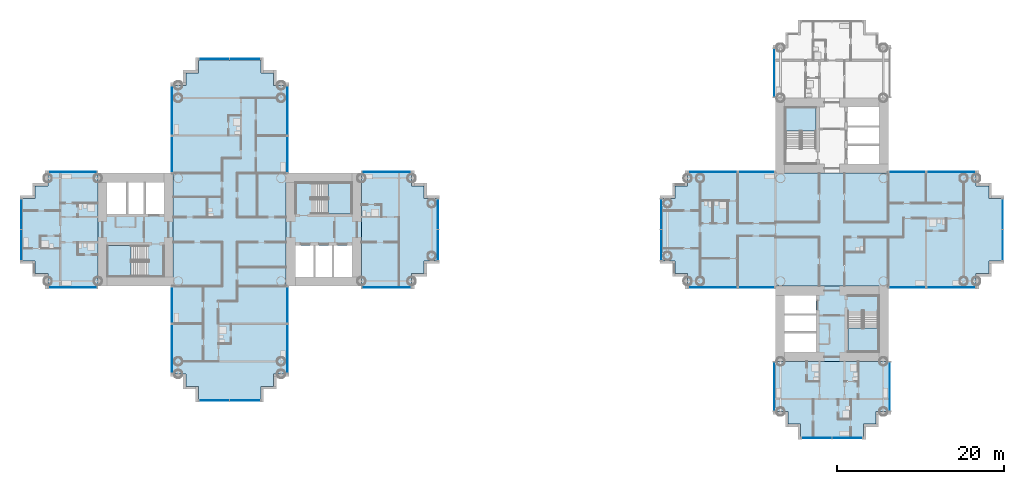
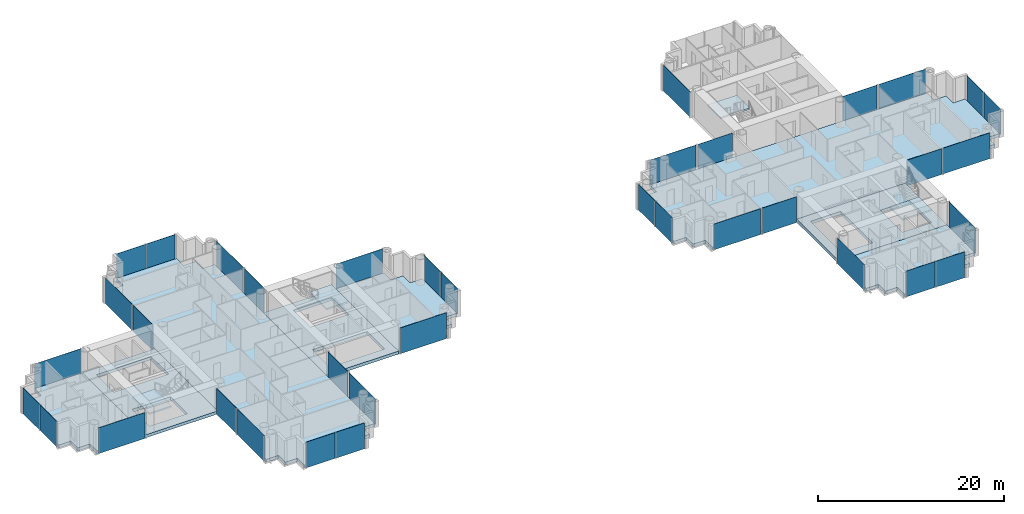
# One storey, part 7 of 22: 37 plates, 12 slabs, 34 elements without a shape of their own.
"""IFC4 building model written with IfcOpenShell, lengths in metres."""

from ifc_helpers import new_model, si_unit, direction, frame, origin, origin_2d, place, context, subcontext, project, spatial, polyline, rectangle, outline, extrude, material, layer, layer_set, type_object, element, aggregate, save


model = new_model("IFC4")

# Units and contexts
model_context = context("Model", 3, precision=1e-05, world=origin(), true_north=direction((0.0, 1.0)))
body_context = subcontext(model_context, "Body", "Model", "MODEL_VIEW")
ifc_project = project(units=[si_unit("LENGTHUNIT", "METRE"), si_unit("AREAUNIT", "SQUARE_METRE"), si_unit("VOLUMEUNIT", "CUBIC_METRE"), si_unit("PLANEANGLEUNIT", "RADIAN"), si_unit("MASSUNIT", "GRAM", prefix="KILO")], contexts=[model_context])

# Site, building, storey
site_placement = place(None, origin())
site = spatial("IfcSite", under=ifc_project, at=site_placement, CompositionType="ELEMENT")
building_placement = place(site_placement, origin())
building = spatial("IfcBuilding", under=site, at=building_placement, Name="Ipe Terrace Towers", CompositionType="ELEMENT")
storey_placement = place(building_placement, frame((0.0, 0.0, 61.89990234375)))
storey = spatial("IfcBuildingStorey", under=building, at=storey_placement, Name="L16", CompositionType="ELEMENT", Elevation=61.89990234375)

# Slabs
ifc_material_1 = material(Name="Concrete C30/37", Category="concrete")
ifc_layer_1 = layer(ifc_material_1, 0.39990234375)
ifc_layer_set_1 = layer_set([ifc_layer_1], Name="CORE FLOOR SLAB 400 C30-37")
slab_type_1 = type_object("IfcSlabType", Name="CORE FLOOR SLAB 400 C30-37", PredefinedType="FLOOR", material=ifc_layer_set_1)
slab_1_placement = place(storey_placement, frame((0.0, 0.0, -0.39990234375)))
element("IfcSlab", 1, at=slab_1_placement, inside=storey, type_object=slab_type_1, Name="Core floor T1-C1", PredefinedType="FLOOR", context=body_context, shape_type="SweptSolid", body=[
    extrude(outline(polyline([(-29.25, -6.75), (-29.25, 6.75), (-20.25, 6.75), (-20.25, -6.75), (-29.25, -6.75)]), holes=[polyline([(-28.14990234375, -5.64990234375), (-21.35009765625, -5.64990234375), (-21.35009765625, -1.89990234375), (-28.14990234375, -1.89990234375), (-28.14990234375, -5.64990234375)]), polyline([(-26.199951171875, 5.550048828125), (-26.199951171875, 1.89990234375), (-21.449951171875, 1.89990234375), (-21.449951171875, 5.550048828125), (-26.199951171875, 5.550048828125)])]), origin(), (0.0, 0.0, 1.0), 0.39990234375),
])
slab_2_placement = place(storey_placement, frame((0.0, 0.0, -0.39990234375)))
element("IfcSlab", 2, at=slab_2_placement, inside=storey, type_object=slab_type_1, Name="Core floor T1-C2", PredefinedType="FLOOR", context=body_context, shape_type="SweptSolid", body=[
    extrude(outline(polyline([(-51.75, -6.75), (-51.75, 6.75), (-42.75, 6.75), (-42.75, -6.75), (-51.75, -6.75)]), holes=[polyline([(-45.800048828125, -5.550048828125), (-45.800048828125, -1.89990234375), (-50.550048828125, -1.89990234375), (-50.550048828125, -5.550048828125), (-45.800048828125, -5.550048828125)]), polyline([(-50.64990234375, 1.89990234375), (-43.85009765625, 1.89990234375), (-43.85009765625, 5.64990234375), (-50.64990234375, 5.64990234375), (-50.64990234375, 1.89990234375)])]), origin(), (0.0, 0.0, 1.0), 0.39990234375),
])
slab_3_placement = place(storey_placement, frame((0.0, 0.0, -0.39990234375)))
element("IfcSlab", 3, at=slab_3_placement, inside=storey, type_object=slab_type_1, Name="Core floor T2-C2", PredefinedType="FLOOR", context=body_context, shape_type="SweptSolid", body=[
    extrude(outline(polyline([(29.25, -15.75), (29.25, -6.75), (42.75, -6.75), (42.75, -15.75), (29.25, -15.75)]), holes=[polyline([(34.10009765625, -14.64990234375), (34.10009765625, -7.85009765625), (30.35009765625, -7.85009765625), (30.35009765625, -14.64990234375), (34.10009765625, -14.64990234375)]), polyline([(41.550048828125, -9.800048828125), (37.89990234375, -9.800048828125), (37.89990234375, -14.550048828125), (41.550048828125, -14.550048828125), (41.550048828125, -9.800048828125)])]), origin(), (0.0, 0.0, 1.0), 0.39990234375),
])

# Stair, slab
ifc_material_2 = material(Name="Concrete C30/37", Category="concrete")
stair_type = type_object("IfcStairType", Name="Protected exit stair", PredefinedType="HALF_TURN_STAIR", material=ifc_material_2)
stair_1_placement = place(storey_placement, origin())
stair_1 = element("IfcStair", 4, at=stair_1_placement, inside=storey, type_object=stair_type, Name="L16 Exit stair T1-C1", PredefinedType="HALF_TURN_STAIR")
ifc_material_3 = material(Name="Concrete C30/37", Category="concrete")
ifc_layer_2 = layer(ifc_material_3, 0.199951171875)
ifc_layer_set_2 = layer_set([ifc_layer_2], Name="Exit stair landing 200")
slab_type_2 = type_object("IfcSlabType", Name="Exit stair landing 200", PredefinedType="LANDING", material=ifc_layer_set_2)
slab_4_placement = place(storey_placement, frame((0.0, 0.0, 1.5)))
slab_4 = element("IfcSlab", 5, at=slab_4_placement, type_object=slab_type_2, Name="T1-ST1 landing 1", PredefinedType="LANDING", context=body_context, shape_type="SweptSolid", body=[
    extrude(outline(polyline([(-24.219970703125, 1.89990234375), (-21.449951171875, 1.89990234375), (-21.449951171875, 5.550048828125), (-24.219970703125, 5.550048828125), (-24.219970703125, 1.89990234375)])), origin(), (0.0, 0.0, 1.0), 0.2001953125),
])
aggregate(stair_1, [slab_4])

stair_2_placement = place(storey_placement, origin())
stair_2 = element("IfcStair", 6, at=stair_2_placement, inside=storey, type_object=stair_type, Name="L16 Exit stair T1-C2", PredefinedType="HALF_TURN_STAIR")
slab_5_placement = place(storey_placement, frame((0.0, 0.0, 1.5)))
slab_5 = element("IfcSlab", 7, at=slab_5_placement, type_object=slab_type_2, Name="T1-ST2 landing 1", PredefinedType="LANDING", context=body_context, shape_type="SweptSolid", body=[
    extrude(outline(polyline([(-47.780029296875, -1.89990234375), (-50.550048828125, -1.89990234375), (-50.550048828125, -5.550048828125), (-47.780029296875, -5.550048828125), (-47.780029296875, -1.89990234375)])), origin(), (0.0, 0.0, 1.0), 0.2001953125),
])
aggregate(stair_2, [slab_5])

stair_3_placement = place(storey_placement, origin())
stair_3 = element("IfcStair", 8, at=stair_3_placement, inside=storey, type_object=stair_type, Name="L16 Exit stair T2-C1", PredefinedType="HALF_TURN_STAIR")
slab_6_placement = place(storey_placement, frame((0.0, 0.0, 1.5)))
slab_6 = element("IfcSlab", 9, at=slab_6_placement, type_object=slab_type_2, Name="T2-ST1 landing 1", PredefinedType="LANDING", context=body_context, shape_type="SweptSolid", body=[
    extrude(outline(polyline([(34.10009765625, 11.780029296875), (34.10009765625, 14.550048828125), (30.449951171875, 14.550048828125), (30.449951171875, 11.780029296875), (34.10009765625, 11.780029296875)])), origin(), (0.0, 0.0, 1.0), 0.2001953125),
])
aggregate(stair_3, [slab_6])

stair_4_placement = place(storey_placement, origin())
stair_4 = element("IfcStair", 10, at=stair_4_placement, inside=storey, type_object=stair_type, Name="L16 Exit stair T2-C2", PredefinedType="HALF_TURN_STAIR")
slab_7_placement = place(storey_placement, frame((0.0, 0.0, 1.5)))
slab_7 = element("IfcSlab", 11, at=slab_7_placement, type_object=slab_type_2, Name="T2-ST2 landing 1", PredefinedType="LANDING", context=body_context, shape_type="SweptSolid", body=[
    extrude(outline(polyline([(37.89990234375, -11.780029296875), (37.89990234375, -14.550048828125), (41.550048828125, -14.550048828125), (41.550048828125, -11.780029296875), (37.89990234375, -11.780029296875)])), origin(), (0.0, 0.0, 1.0), 0.2001953125),
])
aggregate(stair_4, [slab_7])

# Slabs
ifc_material_4 = material(Name="Concrete C40/50", Category="concrete")
ifc_layer_3 = layer(ifc_material_4, 0.39990234375)
ifc_layer_set_3 = layer_set([ifc_layer_3], Name="FLAT PLATE SLAB 400 C40-50")
slab_type_3 = type_object("IfcSlabType", Name="FLAT PLATE SLAB 400 C40-50", PredefinedType="FLOOR", material=ifc_layer_set_3)
slab_8_placement = place(storey_placement, frame((0.0, 0.0, -0.39990234375)))
element("IfcSlab", 12, at=slab_8_placement, inside=storey, type_object=slab_type_3, Name="Slab T1-FS-Z11", PredefinedType="FLOOR", context=body_context, shape_type="SweptSolid", body=[
    extrude(outline(polyline([(-30.75, -17.25), (-30.75, -18.75), (-32.25, -18.75), (-32.25, -20.25), (-39.75, -20.25), (-39.75, -18.75), (-41.25, -18.75), (-41.25, -17.25), (-42.75, -17.25), (-42.75, -6.75), (-42.75, 6.75), (-42.75, 17.25), (-41.25, 17.25), (-41.25, 18.75), (-39.75, 18.75), (-39.75, 20.25), (-32.25, 20.25), (-32.25, 18.75), (-30.75, 18.75), (-30.75, 17.25), (-29.25, 17.25), (-29.25, 6.75), (-29.25, -6.75), (-29.25, -17.25), (-30.75, -17.25)])), origin(), (0.0, 0.0, 1.0), 0.39990234375),
])
slab_9_placement = place(storey_placement, frame((0.0, 0.0, -0.39990234375)))
element("IfcSlab", 13, at=slab_9_placement, inside=storey, type_object=slab_type_3, Name="Slab T1-FS-Z12", PredefinedType="FLOOR", context=body_context, shape_type="SweptSolid", body=[
    extrude(outline(polyline([(-57.75, -6.75), (-57.75, -5.25), (-59.25, -5.25), (-59.25, -3.75), (-60.75, -3.75), (-60.75, 3.75), (-59.25, 3.75), (-59.25, 5.25), (-57.75, 5.25), (-57.75, 6.75), (-51.75, 6.75), (-51.75, -6.75), (-57.75, -6.75)])), origin(), (0.0, 0.0, 1.0), 0.39990234375),
])
slab_10_placement = place(storey_placement, frame((0.0, 0.0, -0.39990234375)))
element("IfcSlab", 14, at=slab_10_placement, inside=storey, type_object=slab_type_3, Name="Slab T1-FS-Z13", PredefinedType="FLOOR", context=body_context, shape_type="SweptSolid", body=[
    extrude(outline(polyline([(-14.25, 5.25), (-12.75, 5.25), (-12.75, 3.75), (-11.25, 3.75), (-11.25, -3.75), (-12.75, -3.75), (-12.75, -5.25), (-14.25, -5.25), (-14.25, -6.75), (-20.25, -6.75), (-20.25, 6.75), (-14.25, 6.75), (-14.25, 5.25)])), origin(), (0.0, 0.0, 1.0), 0.39990234375),
])
slab_11_placement = place(storey_placement, frame((0.0, 0.0, -0.39990234375)))
element("IfcSlab", 15, at=slab_11_placement, inside=storey, type_object=slab_type_3, Name="Slab T2-FS-Z11", PredefinedType="FLOOR", context=body_context, shape_type="SweptSolid", body=[
    extrude(outline(polyline([(53.25, 5.25), (54.75, 5.25), (54.75, 3.75), (56.25, 3.75), (56.25, -3.75), (54.75, -3.75), (54.75, -5.25), (53.25, -5.25), (53.25, -6.75), (42.75, -6.75), (29.25, -6.75), (18.75, -6.75), (18.75, -5.25), (17.25, -5.25), (17.25, -3.75), (15.75, -3.75), (15.75, 3.75), (17.25, 3.75), (17.25, 5.25), (18.75, 5.25), (18.75, 6.75), (29.25, 6.75), (42.75, 6.75), (53.25, 6.75), (53.25, 5.25)])), origin(), (0.0, 0.0, 1.0), 0.39990234375),
])
slab_12_placement = place(storey_placement, frame((0.0, 0.0, -0.39990234375)))
element("IfcSlab", 16, at=slab_12_placement, inside=storey, type_object=slab_type_3, Name="Slab T2-FS-Z12", PredefinedType="FLOOR", context=body_context, shape_type="SweptSolid", body=[
    extrude(outline(polyline([(42.75, -21.75), (41.25, -21.75), (41.25, -23.25), (39.75, -23.25), (39.75, -24.75), (32.25, -24.75), (32.25, -23.25), (30.75, -23.25), (30.75, -21.75), (29.25, -21.75), (29.25, -15.75), (42.75, -15.75), (42.75, -21.75)])), origin(), (0.0, 0.0, 1.0), 0.39990234375),
])

# Curtain wall, plate
ifc_material_5 = material(Name="Aluminium alloy 6063-T6", Category="aluminium")
ifc_layer_4 = layer(ifc_material_5, 0.320068359375)
ifc_layer_set_4 = layer_set([ifc_layer_4], Name="TOWER UNITISED CURTAIN WALL")
curtain_wall_type = type_object("IfcCurtainWallType", Name="TOWER UNITISED CURTAIN WALL", PredefinedType="NOTDEFINED", material=ifc_layer_set_4)
curtain_wall_1_placement = place(storey_placement, origin())
curtain_wall_1 = element("IfcCurtainWall", 17, at=curtain_wall_1_placement, inside=storey, type_object=curtain_wall_type, Name="T1-CW-L16-04a curtain wall", PredefinedType="NOTDEFINED")
ifc_material_6 = material(Name="Glass, clear laminated", Category="glass")
ifc_layer_5 = layer(ifc_material_6, 0.031982421875)
ifc_layer_set_5 = layer_set([ifc_layer_5], Name="TOWER UNITISED GLASS PANEL 32")
plate_type = type_object("IfcPlateType", Name="TOWER UNITISED GLASS PANEL 32", PredefinedType="CURTAIN_PANEL", material=ifc_layer_set_5)
plate_1_placement = place(storey_placement, frame((-54.75048828125, -6.909912109375, -0.2998046875), z_axis=(0.0, 0.0, 1.0), x_axis=(1.0, 0.0, 0.0)))
plate_1 = element("IfcPlate", 18, at=plate_1_placement, type_object=plate_type, Name="T1-CW-L16-04a panel 1", PredefinedType="CURTAIN_PANEL", context=body_context, shape_type="SweptSolid", body=[
    extrude(rectangle(XDim=5.759033203125, YDim=0.031982421875, at=origin_2d()), origin(), (0.0, 0.0, 1.0), 3.39990234375),
])
aggregate(curtain_wall_1, [plate_1])

curtain_wall_2_placement = place(storey_placement, origin())
curtain_wall_2 = element("IfcCurtainWall", 19, at=curtain_wall_2_placement, inside=storey, type_object=curtain_wall_type, Name="T1-CW-L16-06a curtain wall", PredefinedType="NOTDEFINED")
plate_2_placement = place(storey_placement, frame((-42.909912109375, -9.0, -0.2998046875), z_axis=(0.0, 0.0, 1.0), x_axis=(0.0, -1.0, 0.0)))
plate_2 = element("IfcPlate", 20, at=plate_2_placement, type_object=plate_type, Name="T1-CW-L16-06a panel 1", PredefinedType="CURTAIN_PANEL", context=body_context, shape_type="SweptSolid", body=[
    extrude(rectangle(XDim=4.260009765625, YDim=0.031982421875, at=origin_2d()), origin(), (0.0, 0.0, 1.0), 3.39990234375),
])
aggregate(curtain_wall_2, [plate_2])

curtain_wall_3_placement = place(storey_placement, origin())
curtain_wall_3 = element("IfcCurtainWall", 21, at=curtain_wall_3_placement, inside=storey, type_object=curtain_wall_type, Name="T1-CW-L16-07a curtain wall", PredefinedType="NOTDEFINED")
plate_3_placement = place(storey_placement, frame((-42.909912109375, -14.25, -0.2998046875), z_axis=(0.0, 0.0, 1.0), x_axis=(0.0, -1.0, 0.0)))
plate_3 = element("IfcPlate", 22, at=plate_3_placement, type_object=plate_type, Name="T1-CW-L16-07a panel 1", PredefinedType="CURTAIN_PANEL", context=body_context, shape_type="SweptSolid", body=[
    extrude(rectangle(XDim=5.760009765625, YDim=0.031982421875, at=origin_2d()), origin(), (0.0, 0.0, 1.0), 3.39990234375),
])
aggregate(curtain_wall_3, [plate_3])

# Curtain wall, plates
curtain_wall_4_placement = place(storey_placement, origin())
curtain_wall_4 = element("IfcCurtainWall", 23, at=curtain_wall_4_placement, inside=storey, type_object=curtain_wall_type, Name="T1-CW-L16-12a curtain wall", PredefinedType="NOTDEFINED")
plate_4_placement = place(storey_placement, frame((-37.831298828125, -20.409912109375, -0.2998046875), z_axis=(0.0, 0.0, 1.0), x_axis=(1.0, 0.0, 0.0)))
plate_4 = element("IfcPlate", 24, at=plate_4_placement, type_object=plate_type, Name="T1-CW-L16-12a panel 1", PredefinedType="CURTAIN_PANEL", context=body_context, shape_type="SweptSolid", body=[
    extrude(rectangle(XDim=3.597412109375, YDim=0.031982421875, at=origin_2d()), origin(), (0.0, 0.0, 1.0), 3.39990234375),
])
plate_5_placement = place(storey_placement, frame((-34.168701171875, -20.409912109375, -0.2998046875), z_axis=(0.0, 0.0, 1.0), x_axis=(1.0, 0.0, 0.0)))
plate_5 = element("IfcPlate", 25, at=plate_5_placement, type_object=plate_type, Name="T1-CW-L16-12a panel 2", PredefinedType="CURTAIN_PANEL", context=body_context, shape_type="SweptSolid", body=[
    extrude(rectangle(XDim=3.597412109375, YDim=0.031982421875, at=origin_2d()), origin(), (0.0, 0.0, 1.0), 3.39990234375),
])
aggregate(curtain_wall_4, [plate_4, plate_5])

# Curtain wall, plate
curtain_wall_5_placement = place(storey_placement, origin())
curtain_wall_5 = element("IfcCurtainWall", 26, at=curtain_wall_5_placement, inside=storey, type_object=curtain_wall_type, Name="T1-CW-L16-17a curtain wall", PredefinedType="NOTDEFINED")
plate_6_placement = place(storey_placement, frame((-29.090087890625, -14.25, -0.2998046875), z_axis=(0.0, 0.0, 1.0), x_axis=(0.0, 1.0, 0.0)))
plate_6 = element("IfcPlate", 27, at=plate_6_placement, type_object=plate_type, Name="T1-CW-L16-17a panel 1", PredefinedType="CURTAIN_PANEL", context=body_context, shape_type="SweptSolid", body=[
    extrude(rectangle(XDim=5.760009765625, YDim=0.031982421875, at=origin_2d()), origin(), (0.0, 0.0, 1.0), 3.39990234375),
])
aggregate(curtain_wall_5, [plate_6])

curtain_wall_6_placement = place(storey_placement, origin())
curtain_wall_6 = element("IfcCurtainWall", 28, at=curtain_wall_6_placement, inside=storey, type_object=curtain_wall_type, Name="T1-CW-L16-18a curtain wall", PredefinedType="NOTDEFINED")
plate_7_placement = place(storey_placement, frame((-29.090087890625, -9.0, -0.2998046875), z_axis=(0.0, 0.0, 1.0), x_axis=(0.0, 1.0, 0.0)))
plate_7 = element("IfcPlate", 29, at=plate_7_placement, type_object=plate_type, Name="T1-CW-L16-18a panel 1", PredefinedType="CURTAIN_PANEL", context=body_context, shape_type="SweptSolid", body=[
    extrude(rectangle(XDim=4.260009765625, YDim=0.031982421875, at=origin_2d()), origin(), (0.0, 0.0, 1.0), 3.39990234375),
])
aggregate(curtain_wall_6, [plate_7])

curtain_wall_7_placement = place(storey_placement, origin())
curtain_wall_7 = element("IfcCurtainWall", 30, at=curtain_wall_7_placement, inside=storey, type_object=curtain_wall_type, Name="T1-CW-L16-20b curtain wall", PredefinedType="NOTDEFINED")
plate_8_placement = place(storey_placement, frame((-17.24951171875, -6.909912109375, -0.2998046875), z_axis=(0.0, 0.0, 1.0), x_axis=(1.0, 0.0, 0.0)))
plate_8 = element("IfcPlate", 31, at=plate_8_placement, type_object=plate_type, Name="T1-CW-L16-20b panel 1", PredefinedType="CURTAIN_PANEL", context=body_context, shape_type="SweptSolid", body=[
    extrude(rectangle(XDim=5.759033203125, YDim=0.031982421875, at=origin_2d()), origin(), (0.0, 0.0, 1.0), 3.39990234375),
])
aggregate(curtain_wall_7, [plate_8])

# Curtain wall, plates
curtain_wall_8_placement = place(storey_placement, origin())
curtain_wall_8 = element("IfcCurtainWall", 32, at=curtain_wall_8_placement, inside=storey, type_object=curtain_wall_type, Name="T1-CW-L16-25a curtain wall", PredefinedType="NOTDEFINED")
plate_9_placement = place(storey_placement, frame((-11.090087890625, -1.831298828125, -0.2998046875), z_axis=(0.0, 0.0, 1.0), x_axis=(0.0, 1.0, 0.0)))
plate_9 = element("IfcPlate", 33, at=plate_9_placement, type_object=plate_type, Name="T1-CW-L16-25a panel 1", PredefinedType="CURTAIN_PANEL", context=body_context, shape_type="SweptSolid", body=[
    extrude(rectangle(XDim=3.597412109375, YDim=0.031982421875, at=origin_2d()), origin(), (0.0, 0.0, 1.0), 3.39990234375),
])
plate_10_placement = place(storey_placement, frame((-11.090087890625, 1.831298828125, -0.2998046875), z_axis=(0.0, 0.0, 1.0), x_axis=(0.0, 1.0, 0.0)))
plate_10 = element("IfcPlate", 34, at=plate_10_placement, type_object=plate_type, Name="T1-CW-L16-25a panel 2", PredefinedType="CURTAIN_PANEL", context=body_context, shape_type="SweptSolid", body=[
    extrude(rectangle(XDim=3.597412109375, YDim=0.031982421875, at=origin_2d()), origin(), (0.0, 0.0, 1.0), 3.39990234375),
])
aggregate(curtain_wall_8, [plate_9, plate_10])

# Curtain wall, plate
curtain_wall_9_placement = place(storey_placement, origin())
curtain_wall_9 = element("IfcCurtainWall", 35, at=curtain_wall_9_placement, inside=storey, type_object=curtain_wall_type, Name="T1-CW-L16-30a curtain wall", PredefinedType="NOTDEFINED")
plate_11_placement = place(storey_placement, frame((-17.24951171875, 6.909912109375, -0.2998046875), z_axis=(0.0, 0.0, 1.0), x_axis=(-1.0, 0.0, 0.0)))
plate_11 = element("IfcPlate", 36, at=plate_11_placement, type_object=plate_type, Name="T1-CW-L16-30a panel 1", PredefinedType="CURTAIN_PANEL", context=body_context, shape_type="SweptSolid", body=[
    extrude(rectangle(XDim=5.759033203125, YDim=0.031982421875, at=origin_2d()), origin(), (0.0, 0.0, 1.0), 3.39990234375),
])
aggregate(curtain_wall_9, [plate_11])

curtain_wall_10_placement = place(storey_placement, origin())
curtain_wall_10 = element("IfcCurtainWall", 37, at=curtain_wall_10_placement, inside=storey, type_object=curtain_wall_type, Name="T1-CW-L16-32a curtain wall", PredefinedType="NOTDEFINED")
plate_12_placement = place(storey_placement, frame((-29.090087890625, 9.0, -0.2998046875), z_axis=(0.0, 0.0, 1.0), x_axis=(0.0, 1.0, 0.0)))
plate_12 = element("IfcPlate", 38, at=plate_12_placement, type_object=plate_type, Name="T1-CW-L16-32a panel 1", PredefinedType="CURTAIN_PANEL", context=body_context, shape_type="SweptSolid", body=[
    extrude(rectangle(XDim=4.260009765625, YDim=0.031982421875, at=origin_2d()), origin(), (0.0, 0.0, 1.0), 3.39990234375),
])
aggregate(curtain_wall_10, [plate_12])

curtain_wall_11_placement = place(storey_placement, origin())
curtain_wall_11 = element("IfcCurtainWall", 39, at=curtain_wall_11_placement, inside=storey, type_object=curtain_wall_type, Name="T1-CW-L16-33a curtain wall", PredefinedType="NOTDEFINED")
plate_13_placement = place(storey_placement, frame((-29.090087890625, 14.25, -0.2998046875), z_axis=(0.0, 0.0, 1.0), x_axis=(0.0, 1.0, 0.0)))
plate_13 = element("IfcPlate", 40, at=plate_13_placement, type_object=plate_type, Name="T1-CW-L16-33a panel 1", PredefinedType="CURTAIN_PANEL", context=body_context, shape_type="SweptSolid", body=[
    extrude(rectangle(XDim=5.760009765625, YDim=0.031982421875, at=origin_2d()), origin(), (0.0, 0.0, 1.0), 3.39990234375),
])
aggregate(curtain_wall_11, [plate_13])

# Curtain wall, plates
curtain_wall_12_placement = place(storey_placement, origin())
curtain_wall_12 = element("IfcCurtainWall", 41, at=curtain_wall_12_placement, inside=storey, type_object=curtain_wall_type, Name="T1-CW-L16-38a curtain wall", PredefinedType="NOTDEFINED")
plate_14_placement = place(storey_placement, frame((-34.168701171875, 20.409912109375, -0.2998046875), z_axis=(0.0, 0.0, 1.0), x_axis=(-1.0, 0.0, 0.0)))
plate_14 = element("IfcPlate", 42, at=plate_14_placement, type_object=plate_type, Name="T1-CW-L16-38a panel 1", PredefinedType="CURTAIN_PANEL", context=body_context, shape_type="SweptSolid", body=[
    extrude(rectangle(XDim=3.597412109375, YDim=0.031982421875, at=origin_2d()), origin(), (0.0, 0.0, 1.0), 3.39990234375),
])
plate_15_placement = place(storey_placement, frame((-37.831298828125, 20.409912109375, -0.2998046875), z_axis=(0.0, 0.0, 1.0), x_axis=(-1.0, 0.0, 0.0)))
plate_15 = element("IfcPlate", 43, at=plate_15_placement, type_object=plate_type, Name="T1-CW-L16-38a panel 2", PredefinedType="CURTAIN_PANEL", context=body_context, shape_type="SweptSolid", body=[
    extrude(rectangle(XDim=3.597412109375, YDim=0.031982421875, at=origin_2d()), origin(), (0.0, 0.0, 1.0), 3.39990234375),
])
aggregate(curtain_wall_12, [plate_14, plate_15])

# Curtain wall, plate
curtain_wall_13_placement = place(storey_placement, origin())
curtain_wall_13 = element("IfcCurtainWall", 44, at=curtain_wall_13_placement, inside=storey, type_object=curtain_wall_type, Name="T1-CW-L16-43a curtain wall", PredefinedType="NOTDEFINED")
plate_16_placement = place(storey_placement, frame((-42.909912109375, 14.25, -0.2998046875), z_axis=(0.0, 0.0, 1.0), x_axis=(0.0, -1.0, 0.0)))
plate_16 = element("IfcPlate", 45, at=plate_16_placement, type_object=plate_type, Name="T1-CW-L16-43a panel 1", PredefinedType="CURTAIN_PANEL", context=body_context, shape_type="SweptSolid", body=[
    extrude(rectangle(XDim=5.760009765625, YDim=0.031982421875, at=origin_2d()), origin(), (0.0, 0.0, 1.0), 3.39990234375),
])
aggregate(curtain_wall_13, [plate_16])

curtain_wall_14_placement = place(storey_placement, origin())
curtain_wall_14 = element("IfcCurtainWall", 46, at=curtain_wall_14_placement, inside=storey, type_object=curtain_wall_type, Name="T1-CW-L16-44a curtain wall", PredefinedType="NOTDEFINED")
plate_17_placement = place(storey_placement, frame((-42.909912109375, 9.0, -0.2998046875), z_axis=(0.0, 0.0, 1.0), x_axis=(0.0, -1.0, 0.0)))
plate_17 = element("IfcPlate", 47, at=plate_17_placement, type_object=plate_type, Name="T1-CW-L16-44a panel 1", PredefinedType="CURTAIN_PANEL", context=body_context, shape_type="SweptSolid", body=[
    extrude(rectangle(XDim=4.260009765625, YDim=0.031982421875, at=origin_2d()), origin(), (0.0, 0.0, 1.0), 3.39990234375),
])
aggregate(curtain_wall_14, [plate_17])

curtain_wall_15_placement = place(storey_placement, origin())
curtain_wall_15 = element("IfcCurtainWall", 48, at=curtain_wall_15_placement, inside=storey, type_object=curtain_wall_type, Name="T1-CW-L16-46b curtain wall", PredefinedType="NOTDEFINED")
plate_18_placement = place(storey_placement, frame((-54.75048828125, 6.909912109375, -0.2998046875), z_axis=(0.0, 0.0, 1.0), x_axis=(-1.0, 0.0, 0.0)))
plate_18 = element("IfcPlate", 49, at=plate_18_placement, type_object=plate_type, Name="T1-CW-L16-46b panel 1", PredefinedType="CURTAIN_PANEL", context=body_context, shape_type="SweptSolid", body=[
    extrude(rectangle(XDim=5.759033203125, YDim=0.031982421875, at=origin_2d()), origin(), (0.0, 0.0, 1.0), 3.39990234375),
])
aggregate(curtain_wall_15, [plate_18])

# Curtain wall, plates
curtain_wall_16_placement = place(storey_placement, origin())
curtain_wall_16 = element("IfcCurtainWall", 50, at=curtain_wall_16_placement, inside=storey, type_object=curtain_wall_type, Name="T1-CW-L16-51a curtain wall", PredefinedType="NOTDEFINED")
plate_19_placement = place(storey_placement, frame((-60.909912109375, 1.831298828125, -0.2998046875), z_axis=(0.0, 0.0, 1.0), x_axis=(0.0, -1.0, 0.0)))
plate_19 = element("IfcPlate", 51, at=plate_19_placement, type_object=plate_type, Name="T1-CW-L16-51a panel 1", PredefinedType="CURTAIN_PANEL", context=body_context, shape_type="SweptSolid", body=[
    extrude(rectangle(XDim=3.597412109375, YDim=0.031982421875, at=origin_2d()), origin(), (0.0, 0.0, 1.0), 3.39990234375),
])
plate_20_placement = place(storey_placement, frame((-60.909912109375, -1.831298828125, -0.2998046875), z_axis=(0.0, 0.0, 1.0), x_axis=(0.0, -1.0, 0.0)))
plate_20 = element("IfcPlate", 52, at=plate_20_placement, type_object=plate_type, Name="T1-CW-L16-51a panel 2", PredefinedType="CURTAIN_PANEL", context=body_context, shape_type="SweptSolid", body=[
    extrude(rectangle(XDim=3.597412109375, YDim=0.031982421875, at=origin_2d()), origin(), (0.0, 0.0, 1.0), 3.39990234375),
])
aggregate(curtain_wall_16, [plate_19, plate_20])

# Curtain wall, plate
curtain_wall_17_placement = place(storey_placement, origin())
curtain_wall_17 = element("IfcCurtainWall", 53, at=curtain_wall_17_placement, inside=storey, type_object=curtain_wall_type, Name="T2-CW-L16-04a curtain wall", PredefinedType="NOTDEFINED")
plate_21_placement = place(storey_placement, frame((42.909912109375, -18.75048828125, -0.2998046875), z_axis=(0.0, 0.0, 1.0), x_axis=(0.0, 1.0, 0.0)))
plate_21 = element("IfcPlate", 54, at=plate_21_placement, type_object=plate_type, Name="T2-CW-L16-04a panel 1", PredefinedType="CURTAIN_PANEL", context=body_context, shape_type="SweptSolid", body=[
    extrude(rectangle(XDim=5.759033203125, YDim=0.031982421875, at=origin_2d()), origin(), (0.0, 0.0, 1.0), 3.39990234375),
])
aggregate(curtain_wall_17, [plate_21])

curtain_wall_18_placement = place(storey_placement, origin())
curtain_wall_18 = element("IfcCurtainWall", 55, at=curtain_wall_18_placement, inside=storey, type_object=curtain_wall_type, Name="T2-CW-L16-06a curtain wall", PredefinedType="NOTDEFINED")
plate_22_placement = place(storey_placement, frame((45.0, -6.909912109375, -0.2998046875), z_axis=(0.0, 0.0, 1.0), x_axis=(1.0, 0.0, 0.0)))
plate_22 = element("IfcPlate", 56, at=plate_22_placement, type_object=plate_type, Name="T2-CW-L16-06a panel 1", PredefinedType="CURTAIN_PANEL", context=body_context, shape_type="SweptSolid", body=[
    extrude(rectangle(XDim=4.260009765625, YDim=0.031982421875, at=origin_2d()), origin(), (0.0, 0.0, 1.0), 3.39990234375),
])
aggregate(curtain_wall_18, [plate_22])

curtain_wall_19_placement = place(storey_placement, origin())
curtain_wall_19 = element("IfcCurtainWall", 57, at=curtain_wall_19_placement, inside=storey, type_object=curtain_wall_type, Name="T2-CW-L16-07a curtain wall", PredefinedType="NOTDEFINED")
plate_23_placement = place(storey_placement, frame((50.25, -6.909912109375, -0.2998046875), z_axis=(0.0, 0.0, 1.0), x_axis=(1.0, 0.0, 0.0)))
plate_23 = element("IfcPlate", 58, at=plate_23_placement, type_object=plate_type, Name="T2-CW-L16-07a panel 1", PredefinedType="CURTAIN_PANEL", context=body_context, shape_type="SweptSolid", body=[
    extrude(rectangle(XDim=5.760009765625, YDim=0.031982421875, at=origin_2d()), origin(), (0.0, 0.0, 1.0), 3.39990234375),
])
aggregate(curtain_wall_19, [plate_23])

# Curtain wall, plates
curtain_wall_20_placement = place(storey_placement, origin())
curtain_wall_20 = element("IfcCurtainWall", 59, at=curtain_wall_20_placement, inside=storey, type_object=curtain_wall_type, Name="T2-CW-L16-12a curtain wall", PredefinedType="NOTDEFINED")
plate_24_placement = place(storey_placement, frame((56.409912109375, -1.831298828125, -0.2998046875), z_axis=(0.0, 0.0, 1.0), x_axis=(0.0, 1.0, 0.0)))
plate_24 = element("IfcPlate", 60, at=plate_24_placement, type_object=plate_type, Name="T2-CW-L16-12a panel 1", PredefinedType="CURTAIN_PANEL", context=body_context, shape_type="SweptSolid", body=[
    extrude(rectangle(XDim=3.597412109375, YDim=0.031982421875, at=origin_2d()), origin(), (0.0, 0.0, 1.0), 3.39990234375),
])
plate_25_placement = place(storey_placement, frame((56.409912109375, 1.831298828125, -0.2998046875), z_axis=(0.0, 0.0, 1.0), x_axis=(0.0, 1.0, 0.0)))
plate_25 = element("IfcPlate", 61, at=plate_25_placement, type_object=plate_type, Name="T2-CW-L16-12a panel 2", PredefinedType="CURTAIN_PANEL", context=body_context, shape_type="SweptSolid", body=[
    extrude(rectangle(XDim=3.597412109375, YDim=0.031982421875, at=origin_2d()), origin(), (0.0, 0.0, 1.0), 3.39990234375),
])
aggregate(curtain_wall_20, [plate_24, plate_25])

# Curtain wall, plate
curtain_wall_21_placement = place(storey_placement, origin())
curtain_wall_21 = element("IfcCurtainWall", 62, at=curtain_wall_21_placement, inside=storey, type_object=curtain_wall_type, Name="T2-CW-L16-17a curtain wall", PredefinedType="NOTDEFINED")
plate_26_placement = place(storey_placement, frame((50.25, 6.909912109375, -0.2998046875), z_axis=(0.0, 0.0, 1.0), x_axis=(-1.0, 0.0, 0.0)))
plate_26 = element("IfcPlate", 63, at=plate_26_placement, type_object=plate_type, Name="T2-CW-L16-17a panel 1", PredefinedType="CURTAIN_PANEL", context=body_context, shape_type="SweptSolid", body=[
    extrude(rectangle(XDim=5.760009765625, YDim=0.031982421875, at=origin_2d()), origin(), (0.0, 0.0, 1.0), 3.39990234375),
])
aggregate(curtain_wall_21, [plate_26])

curtain_wall_22_placement = place(storey_placement, origin())
curtain_wall_22 = element("IfcCurtainWall", 64, at=curtain_wall_22_placement, inside=storey, type_object=curtain_wall_type, Name="T2-CW-L16-18a curtain wall", PredefinedType="NOTDEFINED")
plate_27_placement = place(storey_placement, frame((45.0, 6.909912109375, -0.2998046875), z_axis=(0.0, 0.0, 1.0), x_axis=(-1.0, 0.0, 0.0)))
plate_27 = element("IfcPlate", 65, at=plate_27_placement, type_object=plate_type, Name="T2-CW-L16-18a panel 1", PredefinedType="CURTAIN_PANEL", context=body_context, shape_type="SweptSolid", body=[
    extrude(rectangle(XDim=4.260009765625, YDim=0.031982421875, at=origin_2d()), origin(), (0.0, 0.0, 1.0), 3.39990234375),
])
aggregate(curtain_wall_22, [plate_27])

curtain_wall_23_placement = place(storey_placement, origin())
curtain_wall_23 = element("IfcCurtainWall", 66, at=curtain_wall_23_placement, inside=storey, type_object=curtain_wall_type, Name="T2-CW-L16-30a curtain wall", PredefinedType="NOTDEFINED")
plate_28_placement = place(storey_placement, frame((29.090087890625, 18.75048828125, -0.2998046875), z_axis=(0.0, 0.0, 1.0), x_axis=(0.0, -1.0, 0.0)))
plate_28 = element("IfcPlate", 67, at=plate_28_placement, type_object=plate_type, Name="T2-CW-L16-30a panel 1", PredefinedType="CURTAIN_PANEL", context=body_context, shape_type="SweptSolid", body=[
    extrude(rectangle(XDim=5.759033203125, YDim=0.031982421875, at=origin_2d()), origin(), (0.0, 0.0, 1.0), 3.39990234375),
])
aggregate(curtain_wall_23, [plate_28])

curtain_wall_24_placement = place(storey_placement, origin())
curtain_wall_24 = element("IfcCurtainWall", 68, at=curtain_wall_24_placement, inside=storey, type_object=curtain_wall_type, Name="T2-CW-L16-32a curtain wall", PredefinedType="NOTDEFINED")
plate_29_placement = place(storey_placement, frame((27.0, 6.909912109375, -0.2998046875), z_axis=(0.0, 0.0, 1.0), x_axis=(-1.0, 0.0, 0.0)))
plate_29 = element("IfcPlate", 69, at=plate_29_placement, type_object=plate_type, Name="T2-CW-L16-32a panel 1", PredefinedType="CURTAIN_PANEL", context=body_context, shape_type="SweptSolid", body=[
    extrude(rectangle(XDim=4.260009765625, YDim=0.031982421875, at=origin_2d()), origin(), (0.0, 0.0, 1.0), 3.39990234375),
])
aggregate(curtain_wall_24, [plate_29])

curtain_wall_25_placement = place(storey_placement, origin())
curtain_wall_25 = element("IfcCurtainWall", 70, at=curtain_wall_25_placement, inside=storey, type_object=curtain_wall_type, Name="T2-CW-L16-33a curtain wall", PredefinedType="NOTDEFINED")
plate_30_placement = place(storey_placement, frame((21.75, 6.909912109375, -0.2998046875), z_axis=(0.0, 0.0, 1.0), x_axis=(-1.0, 0.0, 0.0)))
plate_30 = element("IfcPlate", 71, at=plate_30_placement, type_object=plate_type, Name="T2-CW-L16-33a panel 1", PredefinedType="CURTAIN_PANEL", context=body_context, shape_type="SweptSolid", body=[
    extrude(rectangle(XDim=5.760009765625, YDim=0.031982421875, at=origin_2d()), origin(), (0.0, 0.0, 1.0), 3.39990234375),
])
aggregate(curtain_wall_25, [plate_30])

# Curtain wall, plates
curtain_wall_26_placement = place(storey_placement, origin())
curtain_wall_26 = element("IfcCurtainWall", 72, at=curtain_wall_26_placement, inside=storey, type_object=curtain_wall_type, Name="T2-CW-L16-38a curtain wall", PredefinedType="NOTDEFINED")
plate_31_placement = place(storey_placement, frame((15.590087890625, 1.831298828125, -0.2998046875), z_axis=(0.0, 0.0, 1.0), x_axis=(0.0, -1.0, 0.0)))
plate_31 = element("IfcPlate", 73, at=plate_31_placement, type_object=plate_type, Name="T2-CW-L16-38a panel 1", PredefinedType="CURTAIN_PANEL", context=body_context, shape_type="SweptSolid", body=[
    extrude(rectangle(XDim=3.597412109375, YDim=0.031982421875, at=origin_2d()), origin(), (0.0, 0.0, 1.0), 3.39990234375),
])
plate_32_placement = place(storey_placement, frame((15.590087890625, -1.831298828125, -0.2998046875), z_axis=(0.0, 0.0, 1.0), x_axis=(0.0, -1.0, 0.0)))
plate_32 = element("IfcPlate", 74, at=plate_32_placement, type_object=plate_type, Name="T2-CW-L16-38a panel 2", PredefinedType="CURTAIN_PANEL", context=body_context, shape_type="SweptSolid", body=[
    extrude(rectangle(XDim=3.597412109375, YDim=0.031982421875, at=origin_2d()), origin(), (0.0, 0.0, 1.0), 3.39990234375),
])
aggregate(curtain_wall_26, [plate_31, plate_32])

# Curtain wall, plate
curtain_wall_27_placement = place(storey_placement, origin())
curtain_wall_27 = element("IfcCurtainWall", 75, at=curtain_wall_27_placement, inside=storey, type_object=curtain_wall_type, Name="T2-CW-L16-43a curtain wall", PredefinedType="NOTDEFINED")
plate_33_placement = place(storey_placement, frame((21.75, -6.909912109375, -0.2998046875), z_axis=(0.0, 0.0, 1.0), x_axis=(1.0, 0.0, 0.0)))
plate_33 = element("IfcPlate", 76, at=plate_33_placement, type_object=plate_type, Name="T2-CW-L16-43a panel 1", PredefinedType="CURTAIN_PANEL", context=body_context, shape_type="SweptSolid", body=[
    extrude(rectangle(XDim=5.760009765625, YDim=0.031982421875, at=origin_2d()), origin(), (0.0, 0.0, 1.0), 3.39990234375),
])
aggregate(curtain_wall_27, [plate_33])

curtain_wall_28_placement = place(storey_placement, origin())
curtain_wall_28 = element("IfcCurtainWall", 77, at=curtain_wall_28_placement, inside=storey, type_object=curtain_wall_type, Name="T2-CW-L16-44a curtain wall", PredefinedType="NOTDEFINED")
plate_34_placement = place(storey_placement, frame((27.0, -6.909912109375, -0.2998046875), z_axis=(0.0, 0.0, 1.0), x_axis=(1.0, 0.0, 0.0)))
plate_34 = element("IfcPlate", 78, at=plate_34_placement, type_object=plate_type, Name="T2-CW-L16-44a panel 1", PredefinedType="CURTAIN_PANEL", context=body_context, shape_type="SweptSolid", body=[
    extrude(rectangle(XDim=4.260009765625, YDim=0.031982421875, at=origin_2d()), origin(), (0.0, 0.0, 1.0), 3.39990234375),
])
aggregate(curtain_wall_28, [plate_34])

curtain_wall_29_placement = place(storey_placement, origin())
curtain_wall_29 = element("IfcCurtainWall", 79, at=curtain_wall_29_placement, inside=storey, type_object=curtain_wall_type, Name="T2-CW-L16-46b curtain wall", PredefinedType="NOTDEFINED")
plate_35_placement = place(storey_placement, frame((29.090087890625, -18.75048828125, -0.2998046875), z_axis=(0.0, 0.0, 1.0), x_axis=(0.0, -1.0, 0.0)))
plate_35 = element("IfcPlate", 80, at=plate_35_placement, type_object=plate_type, Name="T2-CW-L16-46b panel 1", PredefinedType="CURTAIN_PANEL", context=body_context, shape_type="SweptSolid", body=[
    extrude(rectangle(XDim=5.759033203125, YDim=0.031982421875, at=origin_2d()), origin(), (0.0, 0.0, 1.0), 3.39990234375),
])
aggregate(curtain_wall_29, [plate_35])

# Curtain wall, plates
curtain_wall_30_placement = place(storey_placement, origin())
curtain_wall_30 = element("IfcCurtainWall", 81, at=curtain_wall_30_placement, inside=storey, type_object=curtain_wall_type, Name="T2-CW-L16-51a curtain wall", PredefinedType="NOTDEFINED")
plate_36_placement = place(storey_placement, frame((34.168701171875, -24.909912109375, -0.2998046875), z_axis=(0.0, 0.0, 1.0), x_axis=(1.0, 0.0, 0.0)))
plate_36 = element("IfcPlate", 82, at=plate_36_placement, type_object=plate_type, Name="T2-CW-L16-51a panel 1", PredefinedType="CURTAIN_PANEL", context=body_context, shape_type="SweptSolid", body=[
    extrude(rectangle(XDim=3.597412109375, YDim=0.031982421875, at=origin_2d()), origin(), (0.0, 0.0, 1.0), 3.39990234375),
])
plate_37_placement = place(storey_placement, frame((37.831298828125, -24.909912109375, -0.2998046875), z_axis=(0.0, 0.0, 1.0), x_axis=(1.0, 0.0, 0.0)))
plate_37 = element("IfcPlate", 83, at=plate_37_placement, type_object=plate_type, Name="T2-CW-L16-51a panel 2", PredefinedType="CURTAIN_PANEL", context=body_context, shape_type="SweptSolid", body=[
    extrude(rectangle(XDim=3.597412109375, YDim=0.031982421875, at=origin_2d()), origin(), (0.0, 0.0, 1.0), 3.39990234375),
])
aggregate(curtain_wall_30, [plate_36, plate_37])

save(model, "model.ifc")
